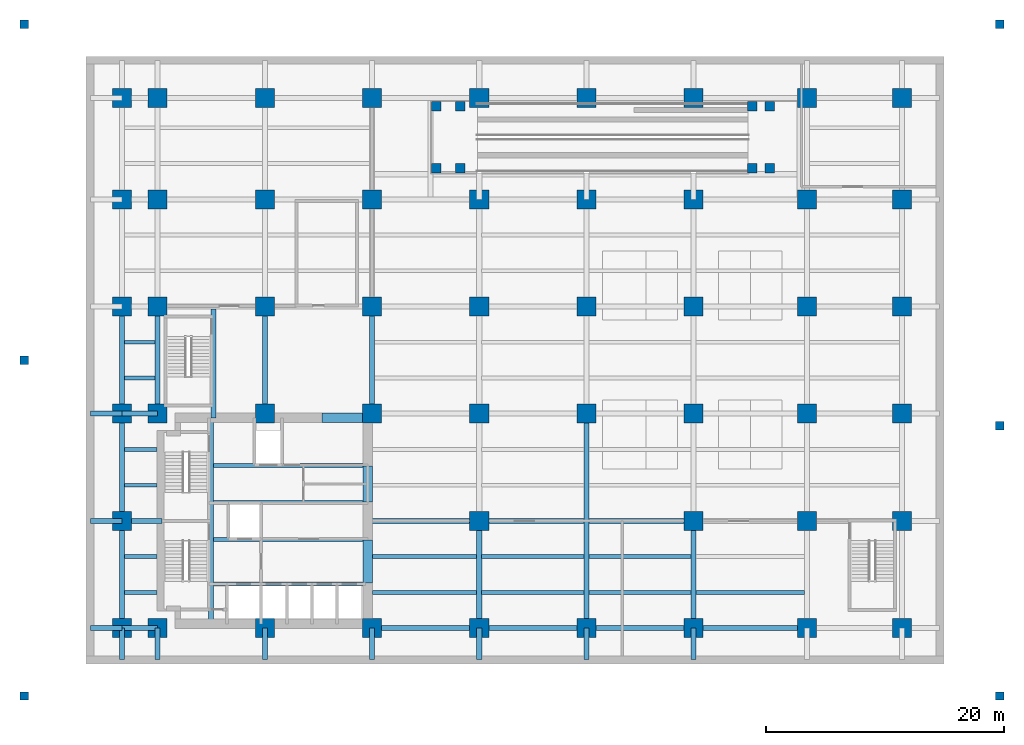
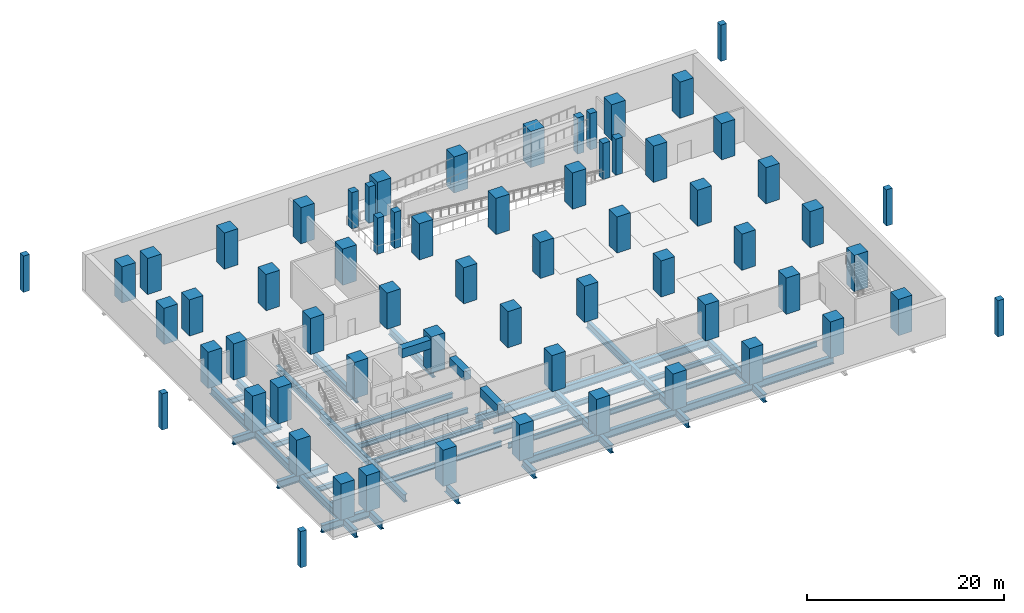
# One storey, part 1 of 10: 64 columns, 50 beams.
"""IFC4 building model written with IfcOpenShell, lengths in metres."""

from ifc_helpers import new_model, si_unit, direction, frame, origin, origin_2d, place, context, subcontext, project, spatial, rectangle, i_section, extrude, material, material_profile, profile_set, type_object, element, save


model = new_model("IFC4")

# Units and contexts
model_context = context("Model", 3, precision=1e-05, world=origin(), true_north=direction((0.0, 1.0)))
body_context = subcontext(model_context, "Body", "Model", "MODEL_VIEW")
ifc_project = project(units=[si_unit("LENGTHUNIT", "METRE"), si_unit("AREAUNIT", "SQUARE_METRE"), si_unit("VOLUMEUNIT", "CUBIC_METRE"), si_unit("PLANEANGLEUNIT", "RADIAN"), si_unit("MASSUNIT", "GRAM", prefix="KILO")], contexts=[model_context])

# Site, building, storey
site_placement = place(None, origin())
site = spatial("IfcSite", under=ifc_project, at=site_placement, CompositionType="ELEMENT")
building_placement = place(site_placement, origin())
building = spatial("IfcBuilding", under=site, at=building_placement, Name="Mawjdan Bourse Tower", CompositionType="ELEMENT")
storey_placement = place(building_placement, frame((0.0, 0.0, -9.0)))
storey = spatial("IfcBuildingStorey", under=building, at=storey_placement, Name="B02", CompositionType="ELEMENT", Elevation=-9.0)

# Columns
ifc_material_1 = material(Name="Concrete C80/95", Category="concrete")
ifc_material_profile_1 = material_profile(ifc_material_1, rectangle(XDim=1.60009765625, YDim=1.60009765625, at=origin_2d()), Name="RC1600X1600")
ifc_profile_set_1 = profile_set([ifc_material_profile_1], Name="Concrete C80/95")
column_type_1 = type_object("IfcColumnType", Name="COL-RC1600X1600", PredefinedType="COLUMN", material=ifc_profile_set_1)
for number, where, z_axis, x_axis, name in (
    (1, (3.0, 3.0, 0.0), (0.0, 0.0, 1.0), (1.0, 0.0, 0.0), "B02 Structural Column C-X30-Y30"),
    (2, (3.0, 12.0, 0.0), (0.0, 0.0, 1.0), (1.0, 0.0, 0.0), "B02 Structural Column C-X30-Y120"),
    (3, (3.0, 21.0, 0.0), (0.0, 0.0, 1.0), (1.0, 0.0, 0.0), "B02 Structural Column C-X30-Y210"),
    (4, (3.0, 30.0, 0.0), (0.0, 0.0, 1.0), (1.0, 0.0, 0.0), "B02 Structural Column C-X30-Y300"),
    (5, (3.0, 39.0, 0.0), (0.0, 0.0, 1.0), (1.0, 0.0, 0.0), "B02 Structural Column C-X30-Y390"),
    (6, (3.0, 47.5, 0.0), (0.0, 0.0, 1.0), (1.0, 0.0, 0.0), "B02 Structural Column C-X30-Y475"),
    (7, (6.0, 3.0, 0.0), (0.0, 0.0, 1.0), (1.0, 0.0, 0.0), "B02 Structural Column C-X60-Y30"),
    (8, (6.0, 21.0, 0.0), (0.0, 0.0, 1.0), (1.0, 0.0, 0.0), "B02 Structural Column C-X60-Y210"),
    (9, (6.0, 30.0, 0.0), (0.0, 0.0, 1.0), (1.0, 0.0, 0.0), "B02 Structural Column C-X60-Y300"),
    (10, (6.0, 39.0, 0.0), (0.0, 0.0, 1.0), (1.0, 0.0, 0.0), "B02 Structural Column C-X60-Y390"),
    (11, (6.0, 47.5, 0.0), (0.0, 0.0, 1.0), (1.0, 0.0, 0.0), "B02 Structural Column C-X60-Y475"),
    (12, (15.0, 3.0, 0.0), (0.0, 0.0, 1.0), (1.0, 0.0, 0.0), "B02 Structural Column C-X150-Y30"),
    (13, (15.0, 21.0, 0.0), (0.0, 0.0, 1.0), (1.0, 0.0, 0.0), "B02 Structural Column C-X150-Y210"),
    (14, (15.0, 30.0, 0.0), (0.0, 0.0, 1.0), (1.0, 0.0, 0.0), "B02 Structural Column C-X150-Y300"),
    (15, (15.0, 39.0, 0.0), (0.0, 0.0, 1.0), (1.0, 0.0, 0.0), "B02 Structural Column C-X150-Y390"),
    (16, (15.0, 47.5, 0.0), (0.0, 0.0, 1.0), (1.0, 0.0, 0.0), "B02 Structural Column C-X150-Y475"),
    (17, (24.0, 3.0, 0.0), (0.0, 0.0, 1.0), (1.0, 0.0, 0.0), "B02 Structural Column C-X240-Y30"),
    (18, (24.0, 21.0, 0.0), (0.0, 0.0, 1.0), (1.0, 0.0, 0.0), "B02 Structural Column C-X240-Y210"),
    (19, (24.0, 30.0, 0.0), (0.0, 0.0, 1.0), (1.0, 0.0, 0.0), "B02 Structural Column C-X240-Y300"),
    (20, (24.0, 39.0, 0.0), (0.0, 0.0, 1.0), (1.0, 0.0, 0.0), "B02 Structural Column C-X240-Y390"),
    (21, (24.0, 47.5, 0.0), (0.0, 0.0, 1.0), (1.0, 0.0, 0.0), "B02 Structural Column C-X240-Y475"),
    (22, (33.0, 3.0, 0.0), (0.0, 0.0, 1.0), (1.0, 0.0, 0.0), "B02 Structural Column C-X330-Y30"),
    (23, (33.0, 12.0, 0.0), (0.0, 0.0, 1.0), (1.0, 0.0, 0.0), "B02 Structural Column C-X330-Y120"),
    (24, (33.0, 21.0, 0.0), (0.0, 0.0, 1.0), (1.0, 0.0, 0.0), "B02 Structural Column C-X330-Y210"),
    (25, (33.0, 30.0, 0.0), (0.0, 0.0, 1.0), (1.0, 0.0, 0.0), "B02 Structural Column C-X330-Y300"),
    (26, (33.0, 39.0, 0.0), (0.0, 0.0, 1.0), (1.0, 0.0, 0.0), "B02 Structural Column C-X330-Y390"),
    (27, (33.0, 47.5, 0.0), (0.0, 0.0, 1.0), (1.0, 0.0, 0.0), "B02 Structural Column C-X330-Y475"),
    (28, (42.0, 3.0, 0.0), (0.0, 0.0, 1.0), (1.0, 0.0, 0.0), "B02 Structural Column C-X420-Y30"),
    (29, (42.0, 21.0, 0.0), (0.0, 0.0, 1.0), (1.0, 0.0, 0.0), "B02 Structural Column C-X420-Y210"),
    (30, (42.0, 30.0, 0.0), (0.0, 0.0, 1.0), (1.0, 0.0, 0.0), "B02 Structural Column C-X420-Y300"),
    (31, (42.0, 39.0, 0.0), (0.0, 0.0, 1.0), (1.0, 0.0, 0.0), "B02 Structural Column C-X420-Y390"),
    (32, (42.0, 47.5, 0.0), (0.0, 0.0, 1.0), (1.0, 0.0, 0.0), "B02 Structural Column C-X420-Y475"),
    (33, (51.0, 3.0, 0.0), (0.0, 0.0, 1.0), (1.0, 0.0, 0.0), "B02 Structural Column C-X510-Y30"),
    (34, (51.0, 12.0, 0.0), (0.0, 0.0, 1.0), (1.0, 0.0, 0.0), "B02 Structural Column C-X510-Y120"),
    (35, (51.0, 21.0, 0.0), (0.0, 0.0, 1.0), (1.0, 0.0, 0.0), "B02 Structural Column C-X510-Y210"),
    (36, (51.0, 30.0, 0.0), (0.0, 0.0, 1.0), (1.0, 0.0, 0.0), "B02 Structural Column C-X510-Y300"),
    (37, (51.0, 39.0, 0.0), (0.0, 0.0, 1.0), (1.0, 0.0, 0.0), "B02 Structural Column C-X510-Y390"),
    (38, (51.0, 47.5, 0.0), (0.0, 0.0, 1.0), (1.0, 0.0, 0.0), "B02 Structural Column C-X510-Y475"),
    (39, (60.5, 3.0, 0.0), (0.0, 0.0, 1.0), (1.0, 0.0, 0.0), "B02 Structural Column C-X605-Y30"),
    (40, (60.5, 12.0, 0.0), (0.0, 0.0, 1.0), (1.0, 0.0, 0.0), "B02 Structural Column C-X605-Y120"),
    (41, (60.5, 21.0, 0.0), (0.0, 0.0, 1.0), (1.0, 0.0, 0.0), "B02 Structural Column C-X605-Y210"),
    (42, (60.5, 30.0, 0.0), (0.0, 0.0, 1.0), (1.0, 0.0, 0.0), "B02 Structural Column C-X605-Y300"),
    (43, (60.5, 39.0, 0.0), (0.0, 0.0, 1.0), (1.0, 0.0, 0.0), "B02 Structural Column C-X605-Y390"),
    (44, (60.5, 47.5, 0.0), (0.0, 0.0, 1.0), (1.0, 0.0, 0.0), "B02 Structural Column C-X605-Y475"),
    (45, (68.5, 3.0, 0.0), (0.0, 0.0, 1.0), (1.0, 0.0, 0.0), "B02 Structural Column C-X685-Y30"),
    (46, (68.5, 12.0, 0.0), (0.0, 0.0, 1.0), (1.0, 0.0, 0.0), "B02 Structural Column C-X685-Y120"),
    (47, (68.5, 21.0, 0.0), (0.0, 0.0, 1.0), (1.0, 0.0, 0.0), "B02 Structural Column C-X685-Y210"),
    (48, (68.5, 30.0, 0.0), (0.0, 0.0, 1.0), (1.0, 0.0, 0.0), "B02 Structural Column C-X685-Y300"),
    (49, (68.5, 39.0, 0.0), (0.0, 0.0, 1.0), (1.0, 0.0, 0.0), "B02 Structural Column C-X685-Y390"),
    (50, (68.5, 47.5, 0.0), (0.0, 0.0, 1.0), (1.0, 0.0, 0.0), "B02 Structural Column C-X685-Y475"),
):
    element("IfcColumn", number, at=place(storey_placement, frame(where, z_axis=z_axis, x_axis=x_axis)), inside=storey, type_object=column_type_1, Name=name, PredefinedType="COLUMN", context=body_context, shape_type="SweptSolid", body=[
        extrude(rectangle(XDim=1.60009765625, YDim=1.60009765625, at=origin_2d()), origin(), (0.0, 0.0, 1.0), 4.5),
    ])
ifc_material_2 = material(Name="Concrete C60/75", Category="concrete")
ifc_material_profile_2 = material_profile(ifc_material_2, rectangle(XDim=0.699951171875, YDim=0.699951171875, at=origin_2d()), Name="RC700X700")
ifc_profile_set_2 = profile_set([ifc_material_profile_2], Name="Concrete C60/75")
column_type_2 = type_object("IfcColumnType", Name="COL-RC700X700", PredefinedType="COLUMN", material=ifc_profile_set_2)
for number, where, z_axis, x_axis, name in (
    (51, (-5.199951171875, -2.699951171875, 0.0), (0.0, 0.0, 1.0), (1.0, 0.0, 0.0), "B02 Structural Column CP-X52W-Y27S"),
    (52, (-5.199951171875, 25.5, 0.0), (0.0, 0.0, 1.0), (1.0, 0.0, 0.0), "B02 Structural Column CP-X52W-Y255N"),
    (53, (-5.199951171875, 53.699951171875, 0.0), (0.0, 0.0, 1.0), (1.0, 0.0, 0.0), "B02 Structural Column CP-X52W-Y537N"),
    (54, (76.699951171875, -2.699951171875, 0.0), (0.0, 0.0, 1.0), (1.0, 0.0, 0.0), "B02 Structural Column CP-X767E-Y27S"),
    (55, (76.699951171875, 20.0, 0.0), (0.0, 0.0, 1.0), (1.0, 0.0, 0.0), "B02 Structural Column CP-X767E-Y200N"),
    (56, (76.699951171875, 53.699951171875, 0.0), (0.0, 0.0, 1.0), (1.0, 0.0, 0.0), "B02 Structural Column CP-X767E-Y537N"),
):
    element("IfcColumn", number, at=place(storey_placement, frame(where, z_axis=z_axis, x_axis=x_axis)), inside=storey, type_object=column_type_2, Name=name, PredefinedType="COLUMN", context=body_context, shape_type="SweptSolid", body=[
        extrude(rectangle(XDim=0.699951171875, YDim=0.699951171875, at=origin_2d()), origin(), (0.0, 0.0, 1.0), 4.5),
    ])
ifc_material_profile_3 = material_profile(ifc_material_2, rectangle(XDim=0.800048828125, YDim=0.800048828125, at=origin_2d()), Name="RC800X800")
ifc_profile_set_3 = profile_set([ifc_material_profile_3], Name="Concrete C60/75")
column_type_3 = type_object("IfcColumnType", Name="COL-RC800X800", PredefinedType="COLUMN", material=ifc_profile_set_3)
for number, where, z_axis, x_axis, name in (
    (57, (29.39990234375, 41.60009765625, 0.0), (0.0, 0.0, 1.0), (1.0, 0.0, 0.0), "B02 Ramp Support Column 1"),
    (58, (29.39990234375, 46.800048828125, 0.0), (0.0, 0.0, 1.0), (1.0, 0.0, 0.0), "B02 Ramp Support Column 2"),
    (59, (31.39990234375, 41.60009765625, 0.0), (0.0, 0.0, 1.0), (1.0, 0.0, 0.0), "B02 Ramp Support Column 3"),
    (60, (31.39990234375, 46.800048828125, 0.0), (0.0, 0.0, 1.0), (1.0, 0.0, 0.0), "B02 Ramp Support Column 4"),
    (61, (55.89990234375, 41.60009765625, 0.0), (0.0, 0.0, 1.0), (1.0, 0.0, 0.0), "B02 Ramp Support Column 5"),
    (62, (55.89990234375, 46.800048828125, 0.0), (0.0, 0.0, 1.0), (1.0, 0.0, 0.0), "B02 Ramp Support Column 6"),
    (63, (57.39990234375, 41.60009765625, 0.0), (0.0, 0.0, 1.0), (1.0, 0.0, 0.0), "B02 Ramp Support Column 7"),
    (64, (57.39990234375, 46.800048828125, 0.0), (0.0, 0.0, 1.0), (1.0, 0.0, 0.0), "B02 Ramp Support Column 8"),
):
    element("IfcColumn", number, at=place(storey_placement, frame(where, z_axis=z_axis, x_axis=x_axis)), inside=storey, type_object=column_type_3, Name=name, PredefinedType="COLUMN", context=body_context, shape_type="SweptSolid", body=[
        extrude(rectangle(XDim=0.800048828125, YDim=0.800048828125, at=origin_2d()), origin(), (0.0, 0.0, 1.0), 4.5),
    ])

# Beams
ifc_material_3 = material(Name="Structural Steel S460", Category="steel")
ifc_material_profile_4 = material_profile(ifc_material_3, i_section(OverallWidth=0.423095703125, OverallDepth=0.93994140625, WebThickness=0.02392578125, FlangeThickness=0.042724609375, FilletRadius=0.0341796875, at=origin_2d()), Name="W36X302")
ifc_profile_set_4 = profile_set([ifc_material_profile_4], Name="Structural Steel S460")
beam_type_1 = type_object("IfcBeamType", Name="GRD-W36X302", PredefinedType="BEAM", material=ifc_profile_set_4)
beam_1_placement = place(storey_placement, frame((10.47998046875, 3.35009765625, -0.820068359375), z_axis=(0.0, 1.0, 0.0), x_axis=(-1.0, 0.0, 0.0)))
element("IfcBeam", 65, at=beam_1_placement, inside=storey, type_object=beam_type_1, Name="B02 Core Stair Trimmer Girder 001", PredefinedType="BEAM", context=body_context, shape_type="SweptSolid", body=[
    extrude(i_section(OverallWidth=0.423095703125, OverallDepth=0.93994140625, WebThickness=0.02392578125, FlangeThickness=0.042724609375, FilletRadius=0.0341796875, at=origin_2d()), origin(), (0.0, 0.0, 1.0), 17.2998046875),
])
beam_2_placement = place(storey_placement, frame((10.679931640625, 20.64990234375, -0.820068359375), z_axis=(0.0, 1.0, 0.0), x_axis=(-1.0, 0.0, 0.0)))
element("IfcBeam", 66, at=beam_2_placement, inside=storey, type_object=beam_type_1, Name="B02 North Stair Trimmer Girder 005", PredefinedType="BEAM", context=body_context, shape_type="SweptSolid", body=[
    extrude(i_section(OverallWidth=0.423095703125, OverallDepth=0.93994140625, WebThickness=0.02392578125, FlangeThickness=0.042724609375, FilletRadius=0.0341796875, at=origin_2d()), origin(), (0.0, 0.0, 1.0), 9.140625),
])
beam_3_placement = place(storey_placement, frame((3.0, 0.35009765625, -0.820068359375), z_axis=(0.0, 1.0, 0.0), x_axis=(-1.0, 0.0, 0.0)))
element("IfcBeam", 67, at=beam_3_placement, inside=storey, type_object=beam_type_1, Name="B02 Podium Primary Girder 006", PredefinedType="BEAM", context=body_context, shape_type="SweptSolid", body=[
    extrude(i_section(OverallWidth=0.423095703125, OverallDepth=0.93994140625, WebThickness=0.02392578125, FlangeThickness=0.042724609375, FilletRadius=0.0341796875, at=origin_2d()), origin(), (0.0, 0.0, 1.0), 2.64990234375),
])
for number, where, z_axis, x_axis, name in (
    (68, (3.0, 3.0, -0.820068359375), (0.0, 1.0, 0.0), (-1.0, 0.0, 0.0), "B02 Podium Primary Girder 007"),
    (69, (3.0, 12.0, -0.820068359375), (0.0, 1.0, 0.0), (-1.0, 0.0, 0.0), "B02 Podium Primary Girder 008"),
    (70, (3.0, 21.0, -0.820068359375), (0.0, 1.0, 0.0), (-1.0, 0.0, 0.0), "B02 Podium Primary Girder 009"),
):
    element("IfcBeam", number, at=place(storey_placement, frame(where, z_axis=z_axis, x_axis=x_axis)), inside=storey, type_object=beam_type_1, Name=name, PredefinedType="BEAM", context=body_context, shape_type="SweptSolid", body=[
        extrude(i_section(OverallWidth=0.423095703125, OverallDepth=0.93994140625, WebThickness=0.02392578125, FlangeThickness=0.042724609375, FilletRadius=0.0341796875, at=origin_2d()), origin(), (0.0, 0.0, 1.0), 9.0),
    ])
beam_4_placement = place(storey_placement, frame((6.0, 0.35009765625, -0.820068359375), z_axis=(0.0, 1.0, 0.0), x_axis=(-1.0, 0.0, 0.0)))
element("IfcBeam", 71, at=beam_4_placement, inside=storey, type_object=beam_type_1, Name="B02 Podium Primary Girder 013", PredefinedType="BEAM", context=body_context, shape_type="SweptSolid", body=[
    extrude(i_section(OverallWidth=0.423095703125, OverallDepth=0.93994140625, WebThickness=0.02392578125, FlangeThickness=0.042724609375, FilletRadius=0.0341796875, at=origin_2d()), origin(), (0.0, 0.0, 1.0), 2.64990234375),
])
beam_5_placement = place(storey_placement, frame((6.0, 21.0, -0.820068359375), z_axis=(0.0, 1.0, 0.0), x_axis=(-1.0, 0.0, 0.0)))
element("IfcBeam", 72, at=beam_5_placement, inside=storey, type_object=beam_type_1, Name="B02 Podium Primary Girder 014", PredefinedType="BEAM", context=body_context, shape_type="SweptSolid", body=[
    extrude(i_section(OverallWidth=0.423095703125, OverallDepth=0.93994140625, WebThickness=0.02392578125, FlangeThickness=0.042724609375, FilletRadius=0.0341796875, at=origin_2d()), origin(), (0.0, 0.0, 1.0), 9.0),
])
beam_6_placement = place(storey_placement, frame((15.0, 0.35009765625, -0.820068359375), z_axis=(0.0, 1.0, 0.0), x_axis=(-1.0, 0.0, 0.0)))
element("IfcBeam", 73, at=beam_6_placement, inside=storey, type_object=beam_type_1, Name="B02 Podium Primary Girder 018", PredefinedType="BEAM", context=body_context, shape_type="SweptSolid", body=[
    extrude(i_section(OverallWidth=0.423095703125, OverallDepth=0.93994140625, WebThickness=0.02392578125, FlangeThickness=0.042724609375, FilletRadius=0.0341796875, at=origin_2d()), origin(), (0.0, 0.0, 1.0), 2.64990234375),
])
beam_7_placement = place(storey_placement, frame((15.0, 21.0, -0.820068359375), z_axis=(0.0, 1.0, 0.0), x_axis=(-1.0, 0.0, 0.0)))
element("IfcBeam", 74, at=beam_7_placement, inside=storey, type_object=beam_type_1, Name="B02 Podium Primary Girder 019", PredefinedType="BEAM", context=body_context, shape_type="SweptSolid", body=[
    extrude(i_section(OverallWidth=0.423095703125, OverallDepth=0.93994140625, WebThickness=0.02392578125, FlangeThickness=0.042724609375, FilletRadius=0.0341796875, at=origin_2d()), origin(), (0.0, 0.0, 1.0), 9.0),
])
beam_8_placement = place(storey_placement, frame((24.0, 0.35009765625, -0.820068359375), z_axis=(0.0, 1.0, 0.0), x_axis=(-1.0, 0.0, 0.0)))
element("IfcBeam", 75, at=beam_8_placement, inside=storey, type_object=beam_type_1, Name="B02 Podium Primary Girder 023", PredefinedType="BEAM", context=body_context, shape_type="SweptSolid", body=[
    extrude(i_section(OverallWidth=0.423095703125, OverallDepth=0.93994140625, WebThickness=0.02392578125, FlangeThickness=0.042724609375, FilletRadius=0.0341796875, at=origin_2d()), origin(), (0.0, 0.0, 1.0), 2.64990234375),
])
beam_9_placement = place(storey_placement, frame((24.0, 21.0, -0.820068359375), z_axis=(0.0, 1.0, 0.0), x_axis=(-1.0, 0.0, 0.0)))
element("IfcBeam", 76, at=beam_9_placement, inside=storey, type_object=beam_type_1, Name="B02 Podium Primary Girder 024", PredefinedType="BEAM", context=body_context, shape_type="SweptSolid", body=[
    extrude(i_section(OverallWidth=0.423095703125, OverallDepth=0.93994140625, WebThickness=0.02392578125, FlangeThickness=0.042724609375, FilletRadius=0.0341796875, at=origin_2d()), origin(), (0.0, 0.0, 1.0), 9.0),
])
beam_10_placement = place(storey_placement, frame((33.0, 0.35009765625, -0.820068359375), z_axis=(0.0, 1.0, 0.0), x_axis=(-1.0, 0.0, 0.0)))
element("IfcBeam", 77, at=beam_10_placement, inside=storey, type_object=beam_type_1, Name="B02 Podium Primary Girder 028", PredefinedType="BEAM", context=body_context, shape_type="SweptSolid", body=[
    extrude(i_section(OverallWidth=0.423095703125, OverallDepth=0.93994140625, WebThickness=0.02392578125, FlangeThickness=0.042724609375, FilletRadius=0.0341796875, at=origin_2d()), origin(), (0.0, 0.0, 1.0), 2.64990234375),
])
beam_11_placement = place(storey_placement, frame((33.0, 3.0, -0.820068359375), z_axis=(0.0, 1.0, 0.0), x_axis=(-1.0, 0.0, 0.0)))
element("IfcBeam", 78, at=beam_11_placement, inside=storey, type_object=beam_type_1, Name="B02 Podium Primary Girder 029", PredefinedType="BEAM", context=body_context, shape_type="SweptSolid", body=[
    extrude(i_section(OverallWidth=0.423095703125, OverallDepth=0.93994140625, WebThickness=0.02392578125, FlangeThickness=0.042724609375, FilletRadius=0.0341796875, at=origin_2d()), origin(), (0.0, 0.0, 1.0), 9.0),
])
beam_12_placement = place(storey_placement, frame((42.0, 0.35009765625, -0.820068359375), z_axis=(0.0, 1.0, 0.0), x_axis=(-1.0, 0.0, 0.0)))
element("IfcBeam", 79, at=beam_12_placement, inside=storey, type_object=beam_type_1, Name="B02 Podium Primary Girder 035", PredefinedType="BEAM", context=body_context, shape_type="SweptSolid", body=[
    extrude(i_section(OverallWidth=0.423095703125, OverallDepth=0.93994140625, WebThickness=0.02392578125, FlangeThickness=0.042724609375, FilletRadius=0.0341796875, at=origin_2d()), origin(), (0.0, 0.0, 1.0), 2.64990234375),
])
beam_13_placement = place(storey_placement, frame((42.0, 3.0, -0.820068359375), z_axis=(0.0, 1.0, 0.0), x_axis=(-1.0, 0.0, 0.0)))
element("IfcBeam", 80, at=beam_13_placement, inside=storey, type_object=beam_type_1, Name="B02 Podium Primary Girder 036", PredefinedType="BEAM", context=body_context, shape_type="SweptSolid", body=[
    extrude(i_section(OverallWidth=0.423095703125, OverallDepth=0.93994140625, WebThickness=0.02392578125, FlangeThickness=0.042724609375, FilletRadius=0.0341796875, at=origin_2d()), origin(), (0.0, 0.0, 1.0), 18.0),
])
beam_14_placement = place(storey_placement, frame((51.0, 0.35009765625, -0.820068359375), z_axis=(0.0, 1.0, 0.0), x_axis=(-1.0, 0.0, 0.0)))
element("IfcBeam", 81, at=beam_14_placement, inside=storey, type_object=beam_type_1, Name="B02 Podium Primary Girder 041", PredefinedType="BEAM", context=body_context, shape_type="SweptSolid", body=[
    extrude(i_section(OverallWidth=0.423095703125, OverallDepth=0.93994140625, WebThickness=0.02392578125, FlangeThickness=0.042724609375, FilletRadius=0.0341796875, at=origin_2d()), origin(), (0.0, 0.0, 1.0), 2.64990234375),
])
beam_15_placement = place(storey_placement, frame((51.0, 3.0, -0.820068359375), z_axis=(0.0, 1.0, 0.0), x_axis=(-1.0, 0.0, 0.0)))
element("IfcBeam", 82, at=beam_15_placement, inside=storey, type_object=beam_type_1, Name="B02 Podium Primary Girder 042", PredefinedType="BEAM", context=body_context, shape_type="SweptSolid", body=[
    extrude(i_section(OverallWidth=0.423095703125, OverallDepth=0.93994140625, WebThickness=0.02392578125, FlangeThickness=0.042724609375, FilletRadius=0.0341796875, at=origin_2d()), origin(), (0.0, 0.0, 1.0), 9.0),
])
beam_16_placement = place(storey_placement, frame((0.35009765625, 3.0, -0.820068359375), z_axis=(1.0, 0.0, 0.0), x_axis=(0.0, 1.0, 0.0)))
element("IfcBeam", 83, at=beam_16_placement, inside=storey, type_object=beam_type_1, Name="B02 Podium Tie Girder 062", PredefinedType="BEAM", context=body_context, shape_type="SweptSolid", body=[
    extrude(i_section(OverallWidth=0.423095703125, OverallDepth=0.93994140625, WebThickness=0.02392578125, FlangeThickness=0.042724609375, FilletRadius=0.0341796875, at=origin_2d()), origin(), (0.0, 0.0, 1.0), 2.64990234375),
])
beam_17_placement = place(storey_placement, frame((3.0, 3.0, -0.820068359375), z_axis=(1.0, 0.0, 0.0), x_axis=(0.0, 1.0, 0.0)))
element("IfcBeam", 84, at=beam_17_placement, inside=storey, type_object=beam_type_1, Name="B02 Podium Tie Girder 063", PredefinedType="BEAM", context=body_context, shape_type="SweptSolid", body=[
    extrude(i_section(OverallWidth=0.423095703125, OverallDepth=0.93994140625, WebThickness=0.02392578125, FlangeThickness=0.042724609375, FilletRadius=0.0341796875, at=origin_2d()), origin(), (0.0, 0.0, 1.0), 3.0),
])
for number, where, z_axis, x_axis, name in (
    (85, (24.0, 3.0, -0.820068359375), (1.0, 0.0, 0.0), (0.0, 1.0, 0.0), "B02 Podium Tie Girder 064"),
    (86, (33.0, 3.0, -0.820068359375), (1.0, 0.0, 0.0), (0.0, 1.0, 0.0), "B02 Podium Tie Girder 065"),
    (87, (42.0, 3.0, -0.820068359375), (1.0, 0.0, 0.0), (0.0, 1.0, 0.0), "B02 Podium Tie Girder 066"),
):
    element("IfcBeam", number, at=place(storey_placement, frame(where, z_axis=z_axis, x_axis=x_axis)), inside=storey, type_object=beam_type_1, Name=name, PredefinedType="BEAM", context=body_context, shape_type="SweptSolid", body=[
        extrude(i_section(OverallWidth=0.423095703125, OverallDepth=0.93994140625, WebThickness=0.02392578125, FlangeThickness=0.042724609375, FilletRadius=0.0341796875, at=origin_2d()), origin(), (0.0, 0.0, 1.0), 9.0),
    ])
beam_18_placement = place(storey_placement, frame((51.0, 3.0, -0.820068359375), z_axis=(1.0, 0.0, 0.0), x_axis=(0.0, 1.0, 0.0)))
element("IfcBeam", 88, at=beam_18_placement, inside=storey, type_object=beam_type_1, Name="B02 Podium Tie Girder 067", PredefinedType="BEAM", context=body_context, shape_type="SweptSolid", body=[
    extrude(i_section(OverallWidth=0.423095703125, OverallDepth=0.93994140625, WebThickness=0.02392578125, FlangeThickness=0.042724609375, FilletRadius=0.0341796875, at=origin_2d()), origin(), (0.0, 0.0, 1.0), 9.5),
])
beam_19_placement = place(storey_placement, frame((0.35009765625, 12.0, -0.820068359375), z_axis=(1.0, 0.0, 0.0), x_axis=(0.0, 1.0, 0.0)))
element("IfcBeam", 89, at=beam_19_placement, inside=storey, type_object=beam_type_1, Name="B02 Podium Tie Girder 070", PredefinedType="BEAM", context=body_context, shape_type="SweptSolid", body=[
    extrude(i_section(OverallWidth=0.423095703125, OverallDepth=0.93994140625, WebThickness=0.02392578125, FlangeThickness=0.042724609375, FilletRadius=0.0341796875, at=origin_2d()), origin(), (0.0, 0.0, 1.0), 2.64990234375),
])
beam_20_placement = place(storey_placement, frame((3.0, 12.0, -0.820068359375), z_axis=(1.0, 0.0, 0.0), x_axis=(0.0, 1.0, 0.0)))
element("IfcBeam", 90, at=beam_20_placement, inside=storey, type_object=beam_type_1, Name="B02 Podium Core Tie Girder 071", PredefinedType="BEAM", context=body_context, shape_type="SweptSolid", body=[
    extrude(i_section(OverallWidth=0.423095703125, OverallDepth=0.93994140625, WebThickness=0.02392578125, FlangeThickness=0.042724609375, FilletRadius=0.0341796875, at=origin_2d()), origin(), (0.0, 0.0, 1.0), 3.35009765625),
])
beam_21_placement = place(storey_placement, frame((23.64990234375, 12.0, -0.820068359375), z_axis=(1.0, 0.0, 0.0), x_axis=(0.0, 1.0, 0.0)))
element("IfcBeam", 91, at=beam_21_placement, inside=storey, type_object=beam_type_1, Name="B02 Podium Tie Girder 072", PredefinedType="BEAM", context=body_context, shape_type="SweptSolid", body=[
    extrude(i_section(OverallWidth=0.423095703125, OverallDepth=0.93994140625, WebThickness=0.02392578125, FlangeThickness=0.042724609375, FilletRadius=0.0341796875, at=origin_2d()), origin(), (0.0, 0.0, 1.0), 9.35009765625),
])
beam_22_placement = place(storey_placement, frame((33.0, 12.0, -0.820068359375), z_axis=(1.0, 0.0, 0.0), x_axis=(0.0, 1.0, 0.0)))
element("IfcBeam", 92, at=beam_22_placement, inside=storey, type_object=beam_type_1, Name="B02 Podium Tie Girder 073", PredefinedType="BEAM", context=body_context, shape_type="SweptSolid", body=[
    extrude(i_section(OverallWidth=0.423095703125, OverallDepth=0.93994140625, WebThickness=0.02392578125, FlangeThickness=0.042724609375, FilletRadius=0.0341796875, at=origin_2d()), origin(), (0.0, 0.0, 1.0), 18.0),
])
beam_23_placement = place(storey_placement, frame((0.35009765625, 21.0, -0.820068359375), z_axis=(1.0, 0.0, 0.0), x_axis=(0.0, 1.0, 0.0)))
element("IfcBeam", 93, at=beam_23_placement, inside=storey, type_object=beam_type_1, Name="B02 Podium Tie Girder 077", PredefinedType="BEAM", context=body_context, shape_type="SweptSolid", body=[
    extrude(i_section(OverallWidth=0.423095703125, OverallDepth=0.93994140625, WebThickness=0.02392578125, FlangeThickness=0.042724609375, FilletRadius=0.0341796875, at=origin_2d()), origin(), (0.0, 0.0, 1.0), 2.64990234375),
])
beam_24_placement = place(storey_placement, frame((3.0, 21.0, -0.820068359375), z_axis=(1.0, 0.0, 0.0), x_axis=(0.0, 1.0, 0.0)))
element("IfcBeam", 94, at=beam_24_placement, inside=storey, type_object=beam_type_1, Name="B02 Podium Tie Girder 078", PredefinedType="BEAM", context=body_context, shape_type="SweptSolid", body=[
    extrude(i_section(OverallWidth=0.423095703125, OverallDepth=0.93994140625, WebThickness=0.02392578125, FlangeThickness=0.042724609375, FilletRadius=0.0341796875, at=origin_2d()), origin(), (0.0, 0.0, 1.0), 3.0),
])
ifc_material_4 = material(Name="Structural Steel S355", Category="steel")
ifc_material_profile_5 = material_profile(ifc_material_4, i_section(OverallWidth=0.324951171875, OverallDepth=0.616943359375, WebThickness=0.013916015625, FlangeThickness=0.021484375, FilletRadius=0.017333984375, at=origin_2d()), Name="W24X117")
ifc_profile_set_5 = profile_set([ifc_material_profile_5], Name="Structural Steel S355")
beam_type_2 = type_object("IfcBeamType", Name="JST-W24X117", PredefinedType="JOIST", material=ifc_profile_set_5)
beam_25_placement = place(storey_placement, frame((3.20947265625, 6.0, -0.658447265625), z_axis=(1.0, 0.0, 0.0), x_axis=(0.0, 1.0, 0.0)))
element("IfcBeam", 95, at=beam_25_placement, inside=storey, type_object=beam_type_2, Name="B02 Composite Floor Joist 115", PredefinedType="JOIST", context=body_context, shape_type="SweptSolid", body=[
    extrude(i_section(OverallWidth=0.324951171875, OverallDepth=0.616943359375, WebThickness=0.013916015625, FlangeThickness=0.021484375, FilletRadius=0.017333984375, at=origin_2d()), origin(), (0.0, 0.0, 1.0), 2.75048828125),
])
beam_26_placement = place(storey_placement, frame((24.0400390625, 6.0, -0.658447265625), z_axis=(1.0, 0.0, 0.0), x_axis=(0.0, 1.0, 0.0)))
element("IfcBeam", 96, at=beam_26_placement, inside=storey, type_object=beam_type_2, Name="B02 Composite Floor Joist 116", PredefinedType="JOIST", context=body_context, shape_type="SweptSolid", body=[
    extrude(i_section(OverallWidth=0.324951171875, OverallDepth=0.616943359375, WebThickness=0.013916015625, FlangeThickness=0.021484375, FilletRadius=0.017333984375, at=origin_2d()), origin(), (0.0, 0.0, 1.0), 8.75048828125),
])
for number, where, z_axis, x_axis, name in (
    (97, (33.20947265625, 6.0, -0.658447265625), (1.0, 0.0, 0.0), (0.0, 1.0, 0.0), "B02 Composite Floor Joist 117"),
    (98, (42.20947265625, 6.0, -0.658447265625), (1.0, 0.0, 0.0), (0.0, 1.0, 0.0), "B02 Composite Floor Joist 118"),
):
    element("IfcBeam", number, at=place(storey_placement, frame(where, z_axis=z_axis, x_axis=x_axis)), inside=storey, type_object=beam_type_2, Name=name, PredefinedType="JOIST", context=body_context, shape_type="SweptSolid", body=[
        extrude(i_section(OverallWidth=0.324951171875, OverallDepth=0.616943359375, WebThickness=0.013916015625, FlangeThickness=0.021484375, FilletRadius=0.017333984375, at=origin_2d()), origin(), (0.0, 0.0, 1.0), 8.5810546875),
    ])
beam_27_placement = place(storey_placement, frame((51.20947265625, 6.0, -0.658447265625), z_axis=(1.0, 0.0, 0.0), x_axis=(0.0, 1.0, 0.0)))
element("IfcBeam", 99, at=beam_27_placement, inside=storey, type_object=beam_type_2, Name="B02 Composite Floor Joist 119", PredefinedType="JOIST", context=body_context, shape_type="SweptSolid", body=[
    extrude(i_section(OverallWidth=0.324951171875, OverallDepth=0.616943359375, WebThickness=0.013916015625, FlangeThickness=0.021484375, FilletRadius=0.017333984375, at=origin_2d()), origin(), (0.0, 0.0, 1.0), 9.0810546875),
])
beam_28_placement = place(storey_placement, frame((3.20947265625, 9.0, -0.658447265625), z_axis=(1.0, 0.0, 0.0), x_axis=(0.0, 1.0, 0.0)))
element("IfcBeam", 100, at=beam_28_placement, inside=storey, type_object=beam_type_2, Name="B02 Composite Floor Joist 120", PredefinedType="JOIST", context=body_context, shape_type="SweptSolid", body=[
    extrude(i_section(OverallWidth=0.324951171875, OverallDepth=0.616943359375, WebThickness=0.013916015625, FlangeThickness=0.021484375, FilletRadius=0.017333984375, at=origin_2d()), origin(), (0.0, 0.0, 1.0), 2.75048828125),
])
beam_29_placement = place(storey_placement, frame((24.0400390625, 9.0, -0.658447265625), z_axis=(1.0, 0.0, 0.0), x_axis=(0.0, 1.0, 0.0)))
element("IfcBeam", 101, at=beam_29_placement, inside=storey, type_object=beam_type_2, Name="B02 Composite Floor Joist 121", PredefinedType="JOIST", context=body_context, shape_type="SweptSolid", body=[
    extrude(i_section(OverallWidth=0.324951171875, OverallDepth=0.616943359375, WebThickness=0.013916015625, FlangeThickness=0.021484375, FilletRadius=0.017333984375, at=origin_2d()), origin(), (0.0, 0.0, 1.0), 8.75048828125),
])
for number, where, z_axis, x_axis, name in (
    (102, (33.20947265625, 9.0, -0.658447265625), (1.0, 0.0, 0.0), (0.0, 1.0, 0.0), "B02 Composite Floor Joist 122"),
    (103, (42.20947265625, 9.0, -0.658447265625), (1.0, 0.0, 0.0), (0.0, 1.0, 0.0), "B02 Composite Floor Joist 123"),
):
    element("IfcBeam", number, at=place(storey_placement, frame(where, z_axis=z_axis, x_axis=x_axis)), inside=storey, type_object=beam_type_2, Name=name, PredefinedType="JOIST", context=body_context, shape_type="SweptSolid", body=[
        extrude(i_section(OverallWidth=0.324951171875, OverallDepth=0.616943359375, WebThickness=0.013916015625, FlangeThickness=0.021484375, FilletRadius=0.017333984375, at=origin_2d()), origin(), (0.0, 0.0, 1.0), 8.5810546875),
    ])
for number, where, z_axis, x_axis, name in (
    (104, (3.20947265625, 15.0, -0.658447265625), (1.0, 0.0, 0.0), (0.0, 1.0, 0.0), "B02 Composite Floor Joist 125"),
    (105, (3.20947265625, 18.0, -0.658447265625), (1.0, 0.0, 0.0), (0.0, 1.0, 0.0), "B02 Composite Floor Joist 131"),
):
    element("IfcBeam", number, at=place(storey_placement, frame(where, z_axis=z_axis, x_axis=x_axis)), inside=storey, type_object=beam_type_2, Name=name, PredefinedType="JOIST", context=body_context, shape_type="SweptSolid", body=[
        extrude(i_section(OverallWidth=0.324951171875, OverallDepth=0.616943359375, WebThickness=0.013916015625, FlangeThickness=0.021484375, FilletRadius=0.017333984375, at=origin_2d()), origin(), (0.0, 0.0, 1.0), 2.75048828125),
    ])
for number, where, z_axis, x_axis, name in (
    (106, (3.20947265625, 24.0, -0.658447265625), (1.0, 0.0, 0.0), (0.0, 1.0, 0.0), "B02 Composite Floor Joist 137"),
    (107, (3.20947265625, 27.0, -0.658447265625), (1.0, 0.0, 0.0), (0.0, 1.0, 0.0), "B02 Composite Floor Joist 143"),
):
    element("IfcBeam", number, at=place(storey_placement, frame(where, z_axis=z_axis, x_axis=x_axis)), inside=storey, type_object=beam_type_2, Name=name, PredefinedType="JOIST", context=body_context, shape_type="SweptSolid", body=[
        extrude(i_section(OverallWidth=0.324951171875, OverallDepth=0.616943359375, WebThickness=0.013916015625, FlangeThickness=0.021484375, FilletRadius=0.017333984375, at=origin_2d()), origin(), (0.0, 0.0, 1.0), 2.5810546875),
    ])
for number, where, z_axis, x_axis, name in (
    (108, (10.689453125, 6.699951171875, -0.658447265625), (1.0, 0.0, 0.0), (0.0, 1.0, 0.0), "B02 Core Slab Joist 173"),
    (109, (10.689453125, 10.449951171875, -0.658447265625), (1.0, 0.0, 0.0), (0.0, 1.0, 0.0), "B02 Core Slab Joist 174"),
    (110, (10.689453125, 13.550048828125, -0.658447265625), (1.0, 0.0, 0.0), (0.0, 1.0, 0.0), "B02 Core Slab Joist 175"),
    (111, (10.689453125, 16.64990234375, -0.658447265625), (1.0, 0.0, 0.0), (0.0, 1.0, 0.0), "B02 Core Slab Joist 176"),
):
    element("IfcBeam", number, at=place(storey_placement, frame(where, z_axis=z_axis, x_axis=x_axis)), inside=storey, type_object=beam_type_2, Name=name, PredefinedType="JOIST", context=body_context, shape_type="SweptSolid", body=[
        extrude(i_section(OverallWidth=0.324951171875, OverallDepth=0.616943359375, WebThickness=0.013916015625, FlangeThickness=0.021484375, FilletRadius=0.017333984375, at=origin_2d()), origin(), (0.0, 0.0, 1.0), 12.96044921875),
    ])
ifc_material_5 = material(Name="Concrete C70/85", Category="concrete")
ifc_material_profile_6 = material_profile(ifc_material_5, rectangle(XDim=0.800048828125, YDim=1.10009765625, at=origin_2d()), Name="RCB800X1100")
ifc_profile_set_6 = profile_set([ifc_material_profile_6], Name="Concrete C70/85")
beam_type_3 = type_object("IfcBeamType", Name="LNT-RCB800X1100", PredefinedType="LINTEL", material=ifc_profile_set_6)
beam_30_placement = place(storey_placement, frame((23.64990234375, 6.800048828125, 3.60009765625), z_axis=(0.0, 1.0, 0.0), x_axis=(-1.0, 0.0, 0.0)))
element("IfcBeam", 112, at=beam_30_placement, inside=storey, type_object=beam_type_3, Name="B02 Coupled Core Lintel CB-E1", PredefinedType="LINTEL", context=body_context, shape_type="SweptSolid", body=[
    extrude(rectangle(XDim=0.800048828125, YDim=1.10009765625, at=origin_2d()), origin(), (0.0, 0.0, 1.0), 3.599853515625),
])
beam_31_placement = place(storey_placement, frame((23.64990234375, 13.60009765625, 3.60009765625), z_axis=(0.0, 1.0, 0.0), x_axis=(-1.0, 0.0, 0.0)))
element("IfcBeam", 113, at=beam_31_placement, inside=storey, type_object=beam_type_3, Name="B02 Coupled Core Lintel CB-E2", PredefinedType="LINTEL", context=body_context, shape_type="SweptSolid", body=[
    extrude(rectangle(XDim=0.800048828125, YDim=1.10009765625, at=origin_2d()), origin(), (0.0, 0.0, 1.0), 3.0),
])
beam_32_placement = place(storey_placement, frame((19.800048828125, 20.64990234375, 3.60009765625), z_axis=(1.0, 0.0, 0.0), x_axis=(0.0, 1.0, 0.0)))
element("IfcBeam", 114, at=beam_32_placement, inside=storey, type_object=beam_type_3, Name="B02 Coupled Core Lintel CB-N1", PredefinedType="LINTEL", context=body_context, shape_type="SweptSolid", body=[
    extrude(rectangle(XDim=0.800048828125, YDim=1.10009765625, at=origin_2d()), origin(), (0.0, 0.0, 1.0), 3.849853515625),
])

save(model, "model.ifc")
